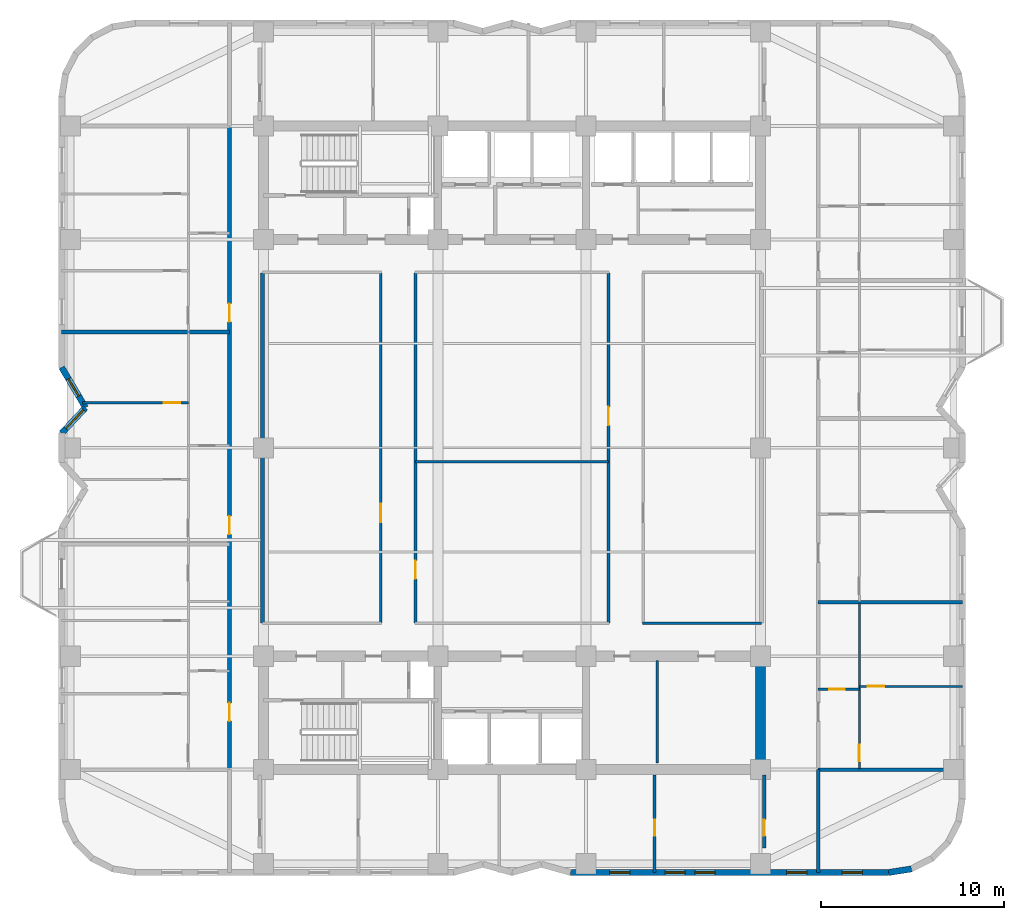
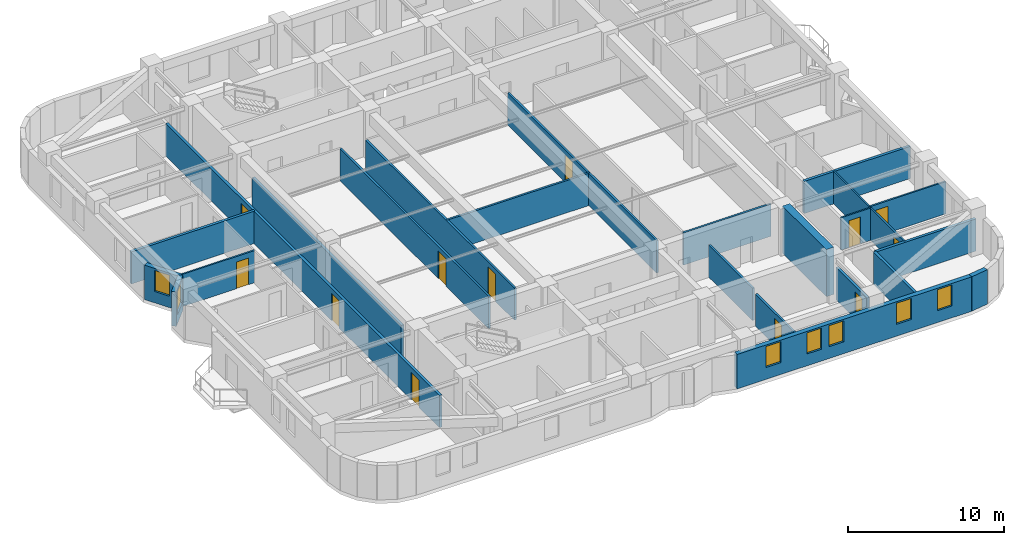
# One storey, part 4 of 10: 23 walls, 12 doors, 7 windows, 19 openings.
"""IFC4 building model written with IfcOpenShell, lengths in metres."""

from ifc_helpers import new_model, si_unit, direction, frame, frame_2d, origin, place, context, subcontext, project, spatial, rectangle, extrude, material, layer, layer_set, type_object, element, fill, save


model = new_model("IFC4")

# Units and contexts
model_context = context("Model", 3, precision=1e-05, world=origin(), true_north=direction((0.0, 1.0)))
body_context = subcontext(model_context, "Body", "Model", "MODEL_VIEW")
ifc_project = project(units=[si_unit("LENGTHUNIT", "METRE"), si_unit("AREAUNIT", "SQUARE_METRE"), si_unit("VOLUMEUNIT", "CUBIC_METRE"), si_unit("PLANEANGLEUNIT", "RADIAN"), si_unit("MASSUNIT", "GRAM", prefix="KILO")], contexts=[model_context])

# Site, building, storey
site_placement = place(None, origin())
site = spatial("IfcSite", under=ifc_project, at=site_placement, CompositionType="ELEMENT")
building_placement = place(site_placement, origin())
building = spatial("IfcBuilding", under=site, at=building_placement, Name="Svetorya Sky Lyceum", CompositionType="ELEMENT")
storey_placement = place(building_placement, frame((0.0, 0.0, 114.199951171875)))
storey = spatial("IfcBuildingStorey", under=building, at=storey_placement, Name="L28", CompositionType="ELEMENT", Elevation=114.199951171875)

# Wall
ifc_material_1 = material(Name="Concrete C60/75", Category="concrete")
ifc_layer_1 = layer(ifc_material_1, 0.550048828125)
ifc_layer_set_1 = layer_set([ifc_layer_1], Name="Concrete C60/75")
wall_type_1 = type_object("IfcWallType", Name="WL-CORE-550", PredefinedType="SHEAR", material=ifc_layer_set_1)
wall_1_placement = place(storey_placement, frame((52.800048828125, 10.875, 0.0), z_axis=(0.0, 0.0, 1.0), x_axis=(0.0, 1.0, 0.0)))
element("IfcWall", 1, at=wall_1_placement, inside=storey, type_object=wall_type_1, Name="L28 SC East Core Shear Wall", PredefinedType="SHEAR", context=body_context, shape_type="SweptSolid", body=[
    extrude(rectangle(XDim=5.64990234375, YDim=0.550048828125, at=frame_2d((2.824951171875, 0.0))), origin(), (0.0, 0.0, 1.0), 3.699951171875),
])

# Wall, openings, windows
ifc_material_2 = material(Name="Putilovo limestone rainscreen on autoclaved cellular masonry", Category="masonry")
ifc_layer_2 = layer(ifc_material_2, 0.340087890625)
ifc_layer_set_2 = layer_set([ifc_layer_2], Name="Putilovo limestone rainscreen on autoclaved cellular masonry")
wall_type_2 = type_object("IfcWallType", Name="WL-EXT-340", PredefinedType="SOLIDWALL", material=ifc_layer_set_2)
wall_2_placement = place(storey_placement, frame((42.39990234375, 4.969970703125, 0.0), z_axis=(0.0, 0.0, 1.0), x_axis=(1.0, 0.0, 0.0)))
wall_2 = element("IfcWall", 2, at=wall_2_placement, inside=storey, type_object=wall_type_2, Name="L28 Limestone Exterior Wall 11M", PredefinedType="SOLIDWALL", context=body_context, shape_type="SweptSolid", body=[
    extrude(rectangle(XDim=17.400146484375, YDim=0.340087890625, at=frame_2d((8.7001953125, 0.0))), origin(), (0.0, 0.0, 1.0), 2.699951171875),
])
opening_1_placement = place(wall_2_placement, frame((2.1416015625, 0.0, 0.929931640625)))
opening_1 = element("IfcOpeningElement", 3, at=opening_1_placement, cuts=wall_2, Name="Opening W-R3", PredefinedType="OPENING", context=body_context, shape_type="SweptSolid", body=[
    extrude(rectangle(XDim=1.10009765625, YDim=1.64990234375, at=frame_2d((0.550048828125, 0.824951171875))), frame((0.0, 0.179931640625, 0.0), z_axis=(0.0, -1.0, 0.0), x_axis=(1.0, 0.0, 0.0)), (0.0, 0.0, 1.0), 0.360107421875),
])
opening_2_placement = place(wall_2_placement, frame((5.175048828125, 0.0, 0.929931640625)))
opening_2 = element("IfcOpeningElement", 4, at=opening_2_placement, cuts=wall_2, Name="Opening W-R3", PredefinedType="OPENING", context=body_context, shape_type="SweptSolid", body=[
    extrude(rectangle(XDim=1.10009765625, YDim=1.64990234375, at=frame_2d((0.550048828125, 0.824951171875))), frame((0.0, 0.179931640625, 0.0), z_axis=(0.0, -1.0, 0.0), x_axis=(1.0, 0.0, 0.0)), (0.0, 0.0, 1.0), 0.360107421875),
])
opening_3_placement = place(wall_2_placement, frame((6.808349609375, 0.0, 0.929931640625)))
opening_3 = element("IfcOpeningElement", 5, at=opening_3_placement, cuts=wall_2, Name="Opening W-R3", PredefinedType="OPENING", context=body_context, shape_type="SweptSolid", body=[
    extrude(rectangle(XDim=1.10009765625, YDim=1.64990234375, at=frame_2d((0.550048828125, 0.824951171875))), frame((0.0, 0.179931640625, 0.0), z_axis=(0.0, -1.0, 0.0), x_axis=(1.0, 0.0, 0.0)), (0.0, 0.0, 1.0), 0.360107421875),
])
opening_4_placement = place(wall_2_placement, frame((11.824951171875, 0.0, 0.929931640625)))
opening_4 = element("IfcOpeningElement", 6, at=opening_4_placement, cuts=wall_2, Name="Opening W-R3", PredefinedType="OPENING", context=body_context, shape_type="SweptSolid", body=[
    extrude(rectangle(XDim=1.10009765625, YDim=1.64990234375, at=frame_2d((0.550048828125, 0.824951171875))), frame((0.0, 0.179931640625, 0.0), z_axis=(0.0, -1.0, 0.0), x_axis=(1.0, 0.0, 0.0)), (0.0, 0.0, 1.0), 0.360107421875),
])
opening_5_placement = place(wall_2_placement, frame((14.8583984375, 0.0, 0.929931640625)))
opening_5 = element("IfcOpeningElement", 7, at=opening_5_placement, cuts=wall_2, Name="Opening W-R3", PredefinedType="OPENING", context=body_context, shape_type="SweptSolid", body=[
    extrude(rectangle(XDim=1.10009765625, YDim=1.64990234375, at=frame_2d((0.550048828125, 0.824951171875))), frame((0.0, 0.179931640625, 0.0), z_axis=(0.0, -1.0, 0.0), x_axis=(1.0, 0.0, 0.0)), (0.0, 0.0, 1.0), 0.360107421875),
])
ifc_material_3 = material(Name="Thermally broken aluminium frame with triple low-E glazing", Category="aluminium")
window_type_1 = type_object("IfcWindowType", Name="WN-RES-110", PartitioningType="SINGLE_PANEL", PredefinedType="WINDOW", material=ifc_material_3)
window_1_placement = place(opening_1_placement, origin())
window_1 = element("IfcWindow", 8, at=window_1_placement, inside=storey, type_object=window_type_1, Name="L28 Facade Window W-R3.11M.1", OverallHeight=1.64990234375, OverallWidth=1.10009765625, PartitioningType="SINGLE_PANEL", PredefinedType="WINDOW", context=body_context, shape_type="SweptSolid", body=[
    extrude(rectangle(XDim=1.10009765625, YDim=1.64990234375, at=frame_2d((0.550048828125, 0.824951171875))), frame((0.0, 0.030029296875, 0.0), z_axis=(0.0, -1.0, 0.0), x_axis=(1.0, 0.0, 0.0)), (0.0, 0.0, 1.0), 0.06005859375),
])
fill(opening_1, window_1)
window_2_placement = place(opening_2_placement, origin())
window_2 = element("IfcWindow", 9, at=window_2_placement, inside=storey, type_object=window_type_1, Name="L28 Facade Window W-R3.11M.2", OverallHeight=1.64990234375, OverallWidth=1.10009765625, PartitioningType="SINGLE_PANEL", PredefinedType="WINDOW", context=body_context, shape_type="SweptSolid", body=[
    extrude(rectangle(XDim=1.10009765625, YDim=1.64990234375, at=frame_2d((0.550048828125, 0.824951171875))), frame((0.0, 0.030029296875, 0.0), z_axis=(0.0, -1.0, 0.0), x_axis=(1.0, 0.0, 0.0)), (0.0, 0.0, 1.0), 0.06005859375),
])
fill(opening_2, window_2)
window_3_placement = place(opening_3_placement, origin())
window_3 = element("IfcWindow", 10, at=window_3_placement, inside=storey, type_object=window_type_1, Name="L28 Facade Window W-R3.11M.3", OverallHeight=1.64990234375, OverallWidth=1.10009765625, PartitioningType="SINGLE_PANEL", PredefinedType="WINDOW", context=body_context, shape_type="SweptSolid", body=[
    extrude(rectangle(XDim=1.10009765625, YDim=1.64990234375, at=frame_2d((0.550048828125, 0.824951171875))), frame((0.0, 0.030029296875, 0.0), z_axis=(0.0, -1.0, 0.0), x_axis=(1.0, 0.0, 0.0)), (0.0, 0.0, 1.0), 0.06005859375),
])
fill(opening_3, window_3)
window_4_placement = place(opening_4_placement, origin())
window_4 = element("IfcWindow", 11, at=window_4_placement, inside=storey, type_object=window_type_1, Name="L28 Facade Window W-R3.11M.4", OverallHeight=1.64990234375, OverallWidth=1.10009765625, PartitioningType="SINGLE_PANEL", PredefinedType="WINDOW", context=body_context, shape_type="SweptSolid", body=[
    extrude(rectangle(XDim=1.10009765625, YDim=1.64990234375, at=frame_2d((0.550048828125, 0.824951171875))), frame((0.0, 0.030029296875, 0.0), z_axis=(0.0, -1.0, 0.0), x_axis=(1.0, 0.0, 0.0)), (0.0, 0.0, 1.0), 0.06005859375),
])
fill(opening_4, window_4)
window_5_placement = place(opening_5_placement, origin())
window_5 = element("IfcWindow", 12, at=window_5_placement, inside=storey, type_object=window_type_1, Name="L28 Facade Window W-R3.11M.5", OverallHeight=1.64990234375, OverallWidth=1.10009765625, PartitioningType="SINGLE_PANEL", PredefinedType="WINDOW", context=body_context, shape_type="SweptSolid", body=[
    extrude(rectangle(XDim=1.10009765625, YDim=1.64990234375, at=frame_2d((0.550048828125, 0.824951171875))), frame((0.0, 0.030029296875, 0.0), z_axis=(0.0, -1.0, 0.0), x_axis=(1.0, 0.0, 0.0)), (0.0, 0.0, 1.0), 0.06005859375),
])
fill(opening_5, window_5)

# Wall
wall_3_placement = place(storey_placement, frame((59.800048828125, 4.969970703125, 0.0), z_axis=(0.0, 0.0, 1.0), x_axis=(0.987685918112, 0.15644975923, 0.0)))
element("IfcWall", 13, at=wall_3_placement, inside=storey, type_object=wall_type_2, Name="L28 Limestone Exterior Wall 12M", PredefinedType="SOLIDWALL", context=body_context, shape_type="SweptSolid", body=[
    extrude(rectangle(XDim=1.260986328125, YDim=0.340087890625, at=frame_2d((0.63037109375, 0.0))), origin(), (0.0, 0.0, 1.0), 2.699951171875),
])

# Wall, opening, window
wall_4_placement = place(storey_placement, frame((14.570068359375, 32.60009765625, 0.0), z_axis=(0.0, 0.0, 1.0), x_axis=(0.508710000703, -0.860937939218, 0.0)))
wall_4 = element("IfcWall", 14, at=wall_4_placement, inside=storey, type_object=wall_type_2, Name="L28 Limestone Exterior Wall 41M", PredefinedType="SOLIDWALL", context=body_context, shape_type="SweptSolid", body=[
    extrude(rectangle(XDim=2.5556640625, YDim=0.340087890625, at=frame_2d((1.27783203125, 0.0))), origin(), (0.0, 0.0, 1.0), 2.699951171875),
])
opening_6_placement = place(wall_4_placement, frame((0.727783203125, 0.0, 0.889892578125)))
opening_6 = element("IfcOpeningElement", 15, at=opening_6_placement, cuts=wall_4, Name="Opening W-R3", PredefinedType="OPENING", context=body_context, shape_type="SweptSolid", body=[
    extrude(rectangle(XDim=1.10009765625, YDim=1.64990234375, at=frame_2d((0.550048828125, 0.824951171875))), frame((0.0, 0.179931640625, 0.0), z_axis=(0.0, -1.0, 0.0), x_axis=(1.0, 0.0, 0.0)), (0.0, 0.0, 1.0), 0.360107421875),
])
window_6_placement = place(opening_6_placement, origin())
window_6 = element("IfcWindow", 16, at=window_6_placement, inside=storey, type_object=window_type_1, Name="L28 Facade Window W-R3.41M.1", OverallHeight=1.64990234375, OverallWidth=1.10009765625, PartitioningType="SINGLE_PANEL", PredefinedType="WINDOW", context=body_context, shape_type="SweptSolid", body=[
    extrude(rectangle(XDim=1.10009765625, YDim=1.64990234375, at=frame_2d((0.550048828125, 0.824951171875))), frame((0.0, 0.030029296875, 0.0), z_axis=(0.0, -1.0, 0.0), x_axis=(1.0, 0.0, 0.0)), (0.0, 0.0, 1.0), 0.06005859375),
])
fill(opening_6, window_6)

wall_5_placement = place(storey_placement, frame((15.8701171875, 30.39990234375, 0.0), z_axis=(0.0, 0.0, 1.0), x_axis=(-0.68049031116, -0.732757078722, 0.0)))
wall_5 = element("IfcWall", 17, at=wall_5_placement, inside=storey, type_object=wall_type_2, Name="L28 Limestone Exterior Wall 42M", PredefinedType="SOLIDWALL", context=body_context, shape_type="SweptSolid", body=[
    extrude(rectangle(XDim=1.910400390625, YDim=0.340087890625, at=frame_2d((0.955078125, 0.0))), origin(), (0.0, 0.0, 1.0), 2.699951171875),
])
opening_7_placement = place(wall_5_placement, frame((0.159912109375, 0.0, 0.68994140625)))
opening_7 = element("IfcOpeningElement", 18, at=opening_7_placement, cuts=wall_5, Name="Opening W-R2", PredefinedType="OPENING", context=body_context, shape_type="SweptSolid", body=[
    extrude(rectangle(XDim=1.39990234375, YDim=1.85009765625, at=frame_2d((0.699951171875, 0.925048828125))), frame((0.0, 0.179931640625, 0.0), z_axis=(0.0, -1.0, 0.0), x_axis=(1.0, 0.0, 0.0)), (0.0, 0.0, 1.0), 0.360107421875),
])
window_type_2 = type_object("IfcWindowType", Name="WN-RES-140", PartitioningType="SINGLE_PANEL", PredefinedType="WINDOW", material=ifc_material_3)
window_7_placement = place(opening_7_placement, origin())
window_7 = element("IfcWindow", 19, at=window_7_placement, inside=storey, type_object=window_type_2, Name="L28 Facade Window W-R2.42M.1", OverallHeight=1.85009765625, OverallWidth=1.39990234375, PartitioningType="SINGLE_PANEL", PredefinedType="WINDOW", context=body_context, shape_type="SweptSolid", body=[
    extrude(rectangle(XDim=1.39990234375, YDim=1.85009765625, at=frame_2d((0.699951171875, 0.925048828125))), frame((0.0, 0.030029296875, 0.0), z_axis=(0.0, -1.0, 0.0), x_axis=(1.0, 0.0, 0.0)), (0.0, 0.0, 1.0), 0.06005859375),
])
fill(opening_7, window_7)

# Wall, opening, door
ifc_material_4 = material(Name="Twin-stud galvanized framing with double fireboard", Category="gypsum")
ifc_layer_3 = layer(ifc_material_4, 0.1201171875)
ifc_layer_set_3 = layer_set([ifc_layer_3], Name="Twin-stud galvanized framing with double fireboard")
wall_type_3 = type_object("IfcWallType", Name="WL-PART-120", PredefinedType="PARTITIONING", material=ifc_layer_set_3)
wall_6_placement = place(storey_placement, frame((15.71044921875, 30.669921875, 0.0), z_axis=(0.0, 0.0, 1.0), x_axis=(1.0, 0.0, 0.0)))
wall_6 = element("IfcWall", 20, at=wall_6_placement, inside=storey, type_object=wall_type_3, Name="L28 Interior Partition W2-WL2", PredefinedType="PARTITIONING", context=body_context, shape_type="SweptSolid", body=[
    extrude(rectangle(XDim=5.78955078125, YDim=0.1201171875, at=frame_2d((2.894775390625, 0.0))), origin(), (0.0, 0.0, 1.0), 2.530029296875),
])
opening_8_placement = place(wall_6_placement, frame((4.439453125, 0.0, 0.0)))
opening_8 = element("IfcOpeningElement", 21, at=opening_8_placement, cuts=wall_6, Name="Opening D-RM1", PredefinedType="OPENING", context=body_context, shape_type="SweptSolid", body=[
    extrude(rectangle(XDim=0.89990234375, YDim=2.10009765625, at=frame_2d((0.449951171875, 1.050048828125))), frame((0.0, 0.070068359375, 0.0), z_axis=(0.0, -1.0, 0.0), x_axis=(1.0, 0.0, 0.0)), (0.0, 0.0, 1.0), 0.14013671875),
])
ifc_material_5 = material(Name="Lacquered birch veneer internal door")
door_type_1 = type_object("IfcDoorType", Name="DR-INT-900", OperationType="SINGLE_SWING_LEFT", PredefinedType="DOOR", material=ifc_material_5)
door_1_placement = place(opening_8_placement, origin())
door_1 = element("IfcDoor", 22, at=door_1_placement, inside=storey, type_object=door_type_1, Name="Apartment W2 Bedroom 2 Door", OperationType="SINGLE_SWING_LEFT", OverallHeight=2.10009765625, OverallWidth=0.89990234375, PredefinedType="DOOR", context=body_context, shape_type="SweptSolid", body=[
    extrude(rectangle(XDim=0.89990234375, YDim=2.10009765625, at=frame_2d((0.449951171875, 1.050048828125))), frame((0.0, 0.02490234375, 0.0), z_axis=(0.0, -1.0, 0.0), x_axis=(1.0, 0.0, 0.0)), (0.0, 0.0, 1.0), 0.050048828125),
])
fill(opening_8, door_1)

wall_7_placement = place(storey_placement, frame((55.949951171875, 14.989990234375, 0.0), z_axis=(0.0, 0.0, 1.0), x_axis=(1.0, 0.0, 0.0)))
wall_7 = element("IfcWall", 23, at=wall_7_placement, inside=storey, type_object=wall_type_3, Name="L28 Interior Partition E1-WH1", PredefinedType="PARTITIONING", context=body_context, shape_type="SweptSolid", body=[
    extrude(rectangle(XDim=2.25, YDim=0.1201171875, at=frame_2d((1.125, 0.0))), origin(), (0.0, 0.0, 1.0), 2.530029296875),
])
opening_9_placement = place(wall_7_placement, frame((0.60009765625, 0.0, 0.0)))
opening_9 = element("IfcOpeningElement", 24, at=opening_9_placement, cuts=wall_7, Name="Opening D-BT1", PredefinedType="OPENING", context=body_context, shape_type="SweptSolid", body=[
    extrude(rectangle(XDim=0.85009765625, YDim=2.10009765625, at=frame_2d((0.425048828125, 1.050048828125))), frame((0.0, 0.070068359375, 0.0), z_axis=(0.0, -1.0, 0.0), x_axis=(1.0, 0.0, 0.0)), (0.0, 0.0, 1.0), 0.14013671875),
])
ifc_material_6 = material(Name="Moisture-resistant laminate bathroom door")
door_type_2 = type_object("IfcDoorType", Name="DR-WET-850", OperationType="SINGLE_SWING_LEFT", PredefinedType="DOOR", material=ifc_material_6)
door_2_placement = place(opening_9_placement, origin())
door_2 = element("IfcDoor", 25, at=door_2_placement, inside=storey, type_object=door_type_2, Name="Apartment E1 Bathroom Door", OperationType="SINGLE_SWING_RIGHT", OverallHeight=2.10009765625, OverallWidth=0.85009765625, PredefinedType="DOOR", context=body_context, shape_type="SweptSolid", body=[
    extrude(rectangle(XDim=0.85009765625, YDim=2.10009765625, at=frame_2d((0.425048828125, 1.050048828125))), frame((0.0, 0.02490234375, 0.0), z_axis=(0.0, -1.0, 0.0), x_axis=(1.0, 0.0, 0.0)), (0.0, 0.0, 1.0), 0.050048828125),
])
fill(opening_9, door_2)

wall_8_placement = place(storey_placement, frame((58.199951171875, 15.14990234375, 0.0), z_axis=(0.0, 0.0, 1.0), x_axis=(1.0, 0.0, 0.0)))
wall_8 = element("IfcWall", 26, at=wall_8_placement, inside=storey, type_object=wall_type_3, Name="L28 Interior Partition E1-WL1", PredefinedType="PARTITIONING", context=body_context, shape_type="SweptSolid", body=[
    extrude(rectangle(XDim=5.630126953125, YDim=0.1201171875, at=frame_2d((2.81494140625, 0.0))), origin(), (0.0, 0.0, 1.0), 2.530029296875),
])
opening_10_placement = place(wall_8_placement, frame((0.449951171875, 0.0, 0.0)))
opening_10 = element("IfcOpeningElement", 27, at=opening_10_placement, cuts=wall_8, Name="Opening D-RM1", PredefinedType="OPENING", context=body_context, shape_type="SweptSolid", body=[
    extrude(rectangle(XDim=0.89990234375, YDim=2.10009765625, at=frame_2d((0.449951171875, 1.050048828125))), frame((0.0, 0.070068359375, 0.0), z_axis=(0.0, -1.0, 0.0), x_axis=(1.0, 0.0, 0.0)), (0.0, 0.0, 1.0), 0.14013671875),
])
door_3_placement = place(opening_10_placement, origin())
door_3 = element("IfcDoor", 28, at=door_3_placement, inside=storey, type_object=door_type_1, Name="Apartment E1 Bedroom 1 Door", OperationType="SINGLE_SWING_RIGHT", OverallHeight=2.10009765625, OverallWidth=0.89990234375, PredefinedType="DOOR", context=body_context, shape_type="SweptSolid", body=[
    extrude(rectangle(XDim=0.89990234375, YDim=2.10009765625, at=frame_2d((0.449951171875, 1.050048828125))), frame((0.0, 0.02490234375, 0.0), z_axis=(0.0, -1.0, 0.0), x_axis=(1.0, 0.0, 0.0)), (0.0, 0.0, 1.0), 0.050048828125),
])
fill(opening_10, door_3)

wall_9_placement = place(storey_placement, frame((58.199951171875, 10.639892578125, 0.0), z_axis=(0.0, 0.0, 1.0), x_axis=(0.0, 1.0, 0.0)))
wall_9 = element("IfcWall", 29, at=wall_9_placement, inside=storey, type_object=wall_type_3, Name="L28 Interior Partition E1-WV", PredefinedType="PARTITIONING", context=body_context, shape_type="SweptSolid", body=[
    extrude(rectangle(XDim=9.072021484375, YDim=0.1201171875, at=frame_2d((4.5361328125, 0.0))), origin(), (0.0, 0.0, 1.0), 2.530029296875),
])
opening_11_placement = place(wall_9_placement, frame((0.409912109375, 0.0, 0.0)))
opening_11 = element("IfcOpeningElement", 30, at=opening_11_placement, cuts=wall_9, Name="Opening D-RM1", PredefinedType="OPENING", context=body_context, shape_type="SweptSolid", body=[
    extrude(rectangle(XDim=0.89990234375, YDim=2.10009765625, at=frame_2d((0.449951171875, 1.050048828125))), frame((0.0, 0.070068359375, 0.0), z_axis=(0.0, -1.0, 0.0), x_axis=(1.0, 0.0, 0.0)), (0.0, 0.0, 1.0), 0.14013671875),
])
door_4_placement = place(opening_11_placement, origin())
door_4 = element("IfcDoor", 31, at=door_4_placement, inside=storey, type_object=door_type_1, Name="Apartment E1 Living Door", OperationType="SINGLE_SWING_LEFT", OverallHeight=2.10009765625, OverallWidth=0.89990234375, PredefinedType="DOOR", context=body_context, shape_type="SweptSolid", body=[
    extrude(rectangle(XDim=0.89990234375, YDim=2.10009765625, at=frame_2d((0.449951171875, 1.050048828125))), frame((0.0, 0.02490234375, 0.0), z_axis=(0.0, -1.0, 0.0), x_axis=(1.0, 0.0, 0.0)), (0.0, 0.0, 1.0), 0.050048828125),
])
fill(opening_11, door_4)

# Walls
ifc_material_7 = material(Name="Autoclaved cellular masonry blockwork with acoustic render", Category="masonry")
ifc_layer_4 = layer(ifc_material_7, 0.14990234375)
ifc_layer_set_4 = layer_set([ifc_layer_4], Name="Autoclaved cellular masonry blockwork with acoustic render")
wall_type_4 = type_object("IfcWallType", Name="WL-PART-150", PredefinedType="PARTITIONING", material=ifc_layer_set_4)
wall_10_placement = place(storey_placement, frame((47.14990234375, 10.949951171875, 0.0), z_axis=(0.0, 0.0, 1.0), x_axis=(0.0, 1.0, 0.0)))
element("IfcWall", 32, at=wall_10_placement, inside=storey, type_object=wall_type_4, Name="L28 Interior Partition SC-LV7-VA", PredefinedType="PARTITIONING", context=body_context, shape_type="SweptSolid", body=[
    extrude(rectangle(XDim=5.630126953125, YDim=0.14990234375, at=frame_2d((2.81494140625, 0.0))), origin(), (0.0, 0.0, 1.0), 2.530029296875),
])
wall_11_placement = place(storey_placement, frame((46.35009765625, 18.60009765625, 0.0), z_axis=(0.0, 0.0, 1.0), x_axis=(1.0, 0.0, 0.0)))
element("IfcWall", 33, at=wall_11_placement, inside=storey, type_object=wall_type_4, Name="L28 Interior Partition RL-CS-E", PredefinedType="PARTITIONING", context=body_context, shape_type="SweptSolid", body=[
    extrude(rectangle(XDim=6.5, YDim=0.14990234375, at=frame_2d((3.25, 0.0))), origin(), (0.0, 0.0, 1.0), 2.530029296875),
])
wall_12_placement = place(storey_placement, frame((33.919921875, 27.434326171875, 0.0), z_axis=(0.0, 0.0, 1.0), x_axis=(1.0, 0.0, 0.0)))
element("IfcWall", 34, at=wall_12_placement, inside=storey, type_object=wall_type_4, Name="L28 Interior Partition ISL-HM0", PredefinedType="PARTITIONING", context=body_context, shape_type="SweptSolid", body=[
    extrude(rectangle(XDim=10.56005859375, YDim=0.14990234375, at=frame_2d((5.280029296875, 0.0))), origin(), (0.0, 0.0, 1.0), 2.530029296875),
])

# Wall, opening, door
wall_13_placement = place(storey_placement, frame((32.02001953125, 18.6298828125, 0.0), z_axis=(0.0, 0.0, 1.0), x_axis=(0.0, 1.0, 0.0)))
wall_13 = element("IfcWall", 35, at=wall_13_placement, inside=storey, type_object=wall_type_4, Name="L28 Interior Partition ISL-WW", PredefinedType="PARTITIONING", context=body_context, shape_type="SweptSolid", body=[
    extrude(rectangle(XDim=19.14013671875, YDim=0.14990234375, at=frame_2d((9.570068359375, 0.0))), origin(), (0.0, 0.0, 1.0), 2.530029296875),
])
opening_12_placement = place(wall_13_placement, frame((5.5, 0.0, 0.0)))
opening_12 = element("IfcOpeningElement", 36, at=opening_12_placement, cuts=wall_13, Name="Opening D-RM2", PredefinedType="OPENING", context=body_context, shape_type="SweptSolid", body=[
    extrude(rectangle(XDim=1.0, YDim=2.14990234375, at=frame_2d((0.5, 1.074951171875))), frame((0.0, 0.0849609375, 0.0), z_axis=(0.0, -1.0, 0.0), x_axis=(1.0, 0.0, 0.0)), (0.0, 0.0, 1.0), 0.169921875),
])
ifc_material_8 = material(Name="Solid-core oak acoustic room door")
door_type_3 = type_object("IfcDoorType", Name="DR-INT-1000", OperationType="SINGLE_SWING_LEFT", PredefinedType="DOOR", material=ifc_material_8)
door_5_placement = place(opening_12_placement, origin())
door_5 = element("IfcDoor", 37, at=door_5_placement, inside=storey, type_object=door_type_3, Name="L28 West Office Door", OperationType="SINGLE_SWING_LEFT", OverallHeight=2.14990234375, OverallWidth=1.0, PredefinedType="DOOR", context=body_context, shape_type="SweptSolid", body=[
    extrude(rectangle(XDim=1.0, YDim=2.14990234375, at=frame_2d((0.5, 1.074951171875))), frame((0.0, 0.02490234375, 0.0), z_axis=(0.0, -1.0, 0.0), x_axis=(1.0, 0.0, 0.0)), (0.0, 0.0, 1.0), 0.050048828125),
])
fill(opening_12, door_5)

wall_14_placement = place(storey_placement, frame((33.919921875, 18.6298828125, 0.0), z_axis=(0.0, 0.0, 1.0), x_axis=(0.0, 1.0, 0.0)))
wall_14 = element("IfcWall", 38, at=wall_14_placement, inside=storey, type_object=wall_type_4, Name="L28 Interior Partition ISL-WE", PredefinedType="PARTITIONING", context=body_context, shape_type="SweptSolid", body=[
    extrude(rectangle(XDim=19.14013671875, YDim=0.14990234375, at=frame_2d((9.570068359375, 0.0))), origin(), (0.0, 0.0, 1.0), 2.530029296875),
])
opening_13_placement = place(wall_14_placement, frame((2.39990234375, 0.0, 0.0)))
opening_13 = element("IfcOpeningElement", 39, at=opening_13_placement, cuts=wall_14, Name="Opening D-RM2", PredefinedType="OPENING", context=body_context, shape_type="SweptSolid", body=[
    extrude(rectangle(XDim=1.0, YDim=2.14990234375, at=frame_2d((0.5, 1.074951171875))), frame((0.0, 0.0849609375, 0.0), z_axis=(0.0, -1.0, 0.0), x_axis=(1.0, 0.0, 0.0)), (0.0, 0.0, 1.0), 0.169921875),
])
door_6_placement = place(opening_13_placement, origin())
door_6 = element("IfcDoor", 40, at=door_6_placement, inside=storey, type_object=door_type_3, Name="L28 Seminar Door", OperationType="SINGLE_SWING_RIGHT", OverallHeight=2.14990234375, OverallWidth=1.0, PredefinedType="DOOR", context=body_context, shape_type="SweptSolid", body=[
    extrude(rectangle(XDim=1.0, YDim=2.14990234375, at=frame_2d((0.5, 1.074951171875))), frame((0.0, 0.02490234375, 0.0), z_axis=(0.0, -1.0, 0.0), x_axis=(1.0, 0.0, 0.0)), (0.0, 0.0, 1.0), 0.050048828125),
])
fill(opening_13, door_6)

wall_15_placement = place(storey_placement, frame((44.47998046875, 18.6298828125, 0.0), z_axis=(0.0, 0.0, 1.0), x_axis=(0.0, 1.0, 0.0)))
wall_15 = element("IfcWall", 41, at=wall_15_placement, inside=storey, type_object=wall_type_4, Name="L28 Interior Partition ISL-EW", PredefinedType="PARTITIONING", context=body_context, shape_type="SweptSolid", body=[
    extrude(rectangle(XDim=19.14013671875, YDim=0.14990234375, at=frame_2d((9.570068359375, 0.0))), origin(), (0.0, 0.0, 1.0), 2.530029296875),
])
opening_14_placement = place(wall_15_placement, frame((10.804443359375, 0.0, 0.0)))
opening_14 = element("IfcOpeningElement", 42, at=opening_14_placement, cuts=wall_15, Name="Opening D-RM2", PredefinedType="OPENING", context=body_context, shape_type="SweptSolid", body=[
    extrude(rectangle(XDim=1.0, YDim=2.14990234375, at=frame_2d((0.5, 1.074951171875))), frame((0.0, 0.0849609375, 0.0), z_axis=(0.0, -1.0, 0.0), x_axis=(1.0, 0.0, 0.0)), (0.0, 0.0, 1.0), 0.169921875),
])
door_7_placement = place(opening_14_placement, origin())
door_7 = element("IfcDoor", 43, at=door_7_placement, inside=storey, type_object=door_type_3, Name="L28 Recreation Door", OperationType="SINGLE_SWING_LEFT", OverallHeight=2.14990234375, OverallWidth=1.0, PredefinedType="DOOR", context=body_context, shape_type="SweptSolid", body=[
    extrude(rectangle(XDim=1.0, YDim=2.14990234375, at=frame_2d((0.5, 1.074951171875))), frame((0.0, 0.02490234375, 0.0), z_axis=(0.0, -1.0, 0.0), x_axis=(1.0, 0.0, 0.0)), (0.0, 0.0, 1.0), 0.050048828125),
])
fill(opening_14, door_7)

wall_16_placement = place(storey_placement, frame((47.0, 4.969970703125, 0.0), z_axis=(0.0, 0.0, 1.0), x_axis=(0.0, 1.0, 0.0)))
wall_16 = element("IfcWall", 44, at=wall_16_placement, inside=storey, type_object=wall_type_4, Name="L28 Interior Partition S4-D3", PredefinedType="PARTITIONING", context=body_context, shape_type="SweptSolid", body=[
    extrude(rectangle(XDim=5.330078125, YDim=0.14990234375, at=frame_2d((2.6650390625, 0.0))), origin(), (0.0, 0.0, 1.0), 2.530029296875),
])
opening_15_placement = place(wall_16_placement, frame((2.0, 0.0, 0.0)))
opening_15 = element("IfcOpeningElement", 45, at=opening_15_placement, cuts=wall_16, Name="Opening D-RM1", PredefinedType="OPENING", context=body_context, shape_type="SweptSolid", body=[
    extrude(rectangle(XDim=0.89990234375, YDim=2.10009765625, at=frame_2d((0.449951171875, 1.050048828125))), frame((0.0, 0.0849609375, 0.0), z_axis=(0.0, -1.0, 0.0), x_axis=(1.0, 0.0, 0.0)), (0.0, 0.0, 1.0), 0.169921875),
])
door_8_placement = place(opening_15_placement, origin())
door_8 = element("IfcDoor", 46, at=door_8_placement, inside=storey, type_object=door_type_1, Name="L28 South Suite Door 3", OperationType="SINGLE_SWING_LEFT", OverallHeight=2.10009765625, OverallWidth=0.89990234375, PredefinedType="DOOR", context=body_context, shape_type="SweptSolid", body=[
    extrude(rectangle(XDim=0.89990234375, YDim=2.10009765625, at=frame_2d((0.449951171875, 1.050048828125))), frame((0.0, 0.02490234375, 0.0), z_axis=(0.0, -1.0, 0.0), x_axis=(1.0, 0.0, 0.0)), (0.0, 0.0, 1.0), 0.050048828125),
])
fill(opening_15, door_8)

# Walls
ifc_material_9 = material(Name="Autoclaved cellular masonry blockwork with gypsum plaster", Category="masonry")
ifc_layer_5 = layer(ifc_material_9, 0.199951171875)
ifc_layer_set_5 = layer_set([ifc_layer_5], Name="Autoclaved cellular masonry blockwork with gypsum plaster")
wall_type_5 = type_object("IfcWallType", Name="WL-PART-200", PredefinedType="PARTITIONING", material=ifc_layer_set_5)
wall_17_placement = place(storey_placement, frame((25.550048828125, 18.6298828125, 0.0), z_axis=(0.0, 0.0, 1.0), x_axis=(0.0, 1.0, 0.0)))
element("IfcWall", 47, at=wall_17_placement, inside=storey, type_object=wall_type_5, Name="L28 Interior Partition W-CEN-SEP", PredefinedType="PARTITIONING", context=body_context, shape_type="SweptSolid", body=[
    extrude(rectangle(XDim=19.14013671875, YDim=0.199951171875, at=frame_2d((9.570068359375, 0.0))), origin(), (0.0, 0.0, 1.0), 2.530029296875),
])
wall_18_placement = place(storey_placement, frame((14.570068359375, 34.535888671875, 0.0), z_axis=(0.0, 0.0, 1.0), x_axis=(1.0, 0.0, 0.0)))
element("IfcWall", 48, at=wall_18_placement, inside=storey, type_object=wall_type_5, Name="L28 Interior Partition W-PARTY-2", PredefinedType="PARTITIONING", context=body_context, shape_type="SweptSolid", body=[
    extrude(rectangle(XDim=9.179931640625, YDim=0.199951171875, at=frame_2d((4.58984375, 0.0))), origin(), (0.0, 0.0, 1.0), 2.530029296875),
])

# Wall, openings, doors
wall_19_placement = place(storey_placement, frame((23.75, 10.60009765625, 0.0), z_axis=(0.0, 0.0, 1.0), x_axis=(0.0, 1.0, 0.0)))
wall_19 = element("IfcWall", 49, at=wall_19_placement, inside=storey, type_object=wall_type_5, Name="L28 Interior Partition W-CORRW", PredefinedType="PARTITIONING", context=body_context, shape_type="SweptSolid", body=[
    extrude(rectangle(XDim=35.199951171875, YDim=0.199951171875, at=frame_2d((17.60009765625, 0.0))), origin(), (0.0, 0.0, 1.0), 2.530029296875),
])
opening_16_placement = place(wall_19_placement, frame((2.64990234375, 0.0, 0.0)))
opening_16 = element("IfcOpeningElement", 50, at=opening_16_placement, cuts=wall_19, Name="Opening D-APT1", PredefinedType="OPENING", context=body_context, shape_type="SweptSolid", body=[
    extrude(rectangle(XDim=1.0, YDim=2.14990234375, at=frame_2d((0.5, 1.074951171875))), frame((0.0, 0.10986328125, 0.0), z_axis=(0.0, -1.0, 0.0), x_axis=(1.0, 0.0, 0.0)), (0.0, 0.0, 1.0), 0.219970703125),
])
opening_17_placement = place(wall_19_placement, frame((12.8701171875, 0.0, 0.0)))
opening_17 = element("IfcOpeningElement", 51, at=opening_17_placement, cuts=wall_19, Name="Opening D-APT1", PredefinedType="OPENING", context=body_context, shape_type="SweptSolid", body=[
    extrude(rectangle(XDim=1.0, YDim=2.14990234375, at=frame_2d((0.5, 1.074951171875))), frame((0.0, 0.10986328125, 0.0), z_axis=(0.0, -1.0, 0.0), x_axis=(1.0, 0.0, 0.0)), (0.0, 0.0, 1.0), 0.219970703125),
])
opening_18_placement = place(wall_19_placement, frame((24.486083984375, 0.0, 0.0)))
opening_18 = element("IfcOpeningElement", 52, at=opening_18_placement, cuts=wall_19, Name="Opening D-APT1", PredefinedType="OPENING", context=body_context, shape_type="SweptSolid", body=[
    extrude(rectangle(XDim=1.0, YDim=2.14990234375, at=frame_2d((0.5, 1.074951171875))), frame((0.0, 0.10986328125, 0.0), z_axis=(0.0, -1.0, 0.0), x_axis=(1.0, 0.0, 0.0)), (0.0, 0.0, 1.0), 0.219970703125),
])
ifc_material_10 = material(Name="Insulated oak-veneered apartment entrance door")
door_type_4 = type_object("IfcDoorType", Name="DR-APT-1000", OperationType="SINGLE_SWING_LEFT", PredefinedType="DOOR", material=ifc_material_10)
door_9_placement = place(opening_16_placement, origin())
door_9 = element("IfcDoor", 53, at=door_9_placement, inside=storey, type_object=door_type_4, Name="L28 Apartment W1 Entrance Door", OperationType="SINGLE_SWING_LEFT", OverallHeight=2.14990234375, OverallWidth=1.0, PredefinedType="DOOR", context=body_context, shape_type="SweptSolid", body=[
    extrude(rectangle(XDim=1.0, YDim=2.14990234375, at=frame_2d((0.5, 1.074951171875))), frame((0.0, 0.02490234375, 0.0), z_axis=(0.0, -1.0, 0.0), x_axis=(1.0, 0.0, 0.0)), (0.0, 0.0, 1.0), 0.050048828125),
])
fill(opening_16, door_9)
door_10_placement = place(opening_17_placement, origin())
door_10 = element("IfcDoor", 54, at=door_10_placement, inside=storey, type_object=door_type_4, Name="L28 Apartment W2 Entrance Door", OperationType="SINGLE_SWING_RIGHT", OverallHeight=2.14990234375, OverallWidth=1.0, PredefinedType="DOOR", context=body_context, shape_type="SweptSolid", body=[
    extrude(rectangle(XDim=1.0, YDim=2.14990234375, at=frame_2d((0.5, 1.074951171875))), frame((0.0, 0.02490234375, 0.0), z_axis=(0.0, -1.0, 0.0), x_axis=(1.0, 0.0, 0.0)), (0.0, 0.0, 1.0), 0.050048828125),
])
fill(opening_17, door_10)
door_11_placement = place(opening_18_placement, origin())
door_11 = element("IfcDoor", 55, at=door_11_placement, inside=storey, type_object=door_type_4, Name="L28 Apartment W3 Entrance Door", OperationType="SINGLE_SWING_LEFT", OverallHeight=2.14990234375, OverallWidth=1.0, PredefinedType="DOOR", context=body_context, shape_type="SweptSolid", body=[
    extrude(rectangle(XDim=1.0, YDim=2.14990234375, at=frame_2d((0.5, 1.074951171875))), frame((0.0, 0.02490234375, 0.0), z_axis=(0.0, -1.0, 0.0), x_axis=(1.0, 0.0, 0.0)), (0.0, 0.0, 1.0), 0.050048828125),
])
fill(opening_18, door_11)

# Walls
wall_20_placement = place(storey_placement, frame((55.949951171875, 19.751953125, 0.0), z_axis=(0.0, 0.0, 1.0), x_axis=(1.0, 0.0, 0.0)))
element("IfcWall", 56, at=wall_20_placement, inside=storey, type_object=wall_type_5, Name="L28 Interior Partition E-PARTY-1", PredefinedType="PARTITIONING", context=body_context, shape_type="SweptSolid", body=[
    extrude(rectangle(XDim=7.880126953125, YDim=0.199951171875, at=frame_2d((3.93994140625, 0.0))), origin(), (0.0, 0.0, 1.0), 2.530029296875),
])
wall_21_placement = place(storey_placement, frame((55.949951171875, 10.60009765625, 0.0), z_axis=(0.0, 0.0, 1.0), x_axis=(1.0, 0.0, 0.0)))
element("IfcWall", 57, at=wall_21_placement, inside=storey, type_object=wall_type_5, Name="L28 Interior Partition E-CAP-S", PredefinedType="PARTITIONING", context=body_context, shape_type="SweptSolid", body=[
    extrude(rectangle(XDim=7.4599609375, YDim=0.199951171875, at=frame_2d((3.72998046875, 0.0))), origin(), (0.0, 0.0, 1.0), 2.530029296875),
])
wall_22_placement = place(storey_placement, frame((55.949951171875, 4.969970703125, 0.0), z_axis=(0.0, 0.0, 1.0), x_axis=(0.0, 1.0, 0.0)))
element("IfcWall", 58, at=wall_22_placement, inside=storey, type_object=wall_type_5, Name="L28 Interior Partition EC-SE-END", PredefinedType="PARTITIONING", context=body_context, shape_type="SweptSolid", body=[
    extrude(rectangle(XDim=5.630126953125, YDim=0.199951171875, at=frame_2d((2.81494140625, 0.0))), origin(), (0.0, 0.0, 1.0), 2.530029296875),
])

# Wall, opening, door
wall_23_placement = place(storey_placement, frame((53.0, 6.320068359375, 0.0), z_axis=(0.0, 0.0, 1.0), x_axis=(0.0, 1.0, 0.0)))
wall_23 = element("IfcWall", 59, at=wall_23_placement, inside=storey, type_object=wall_type_5, Name="L28 Interior Partition S4-EE", PredefinedType="PARTITIONING", context=body_context, shape_type="SweptSolid", body=[
    extrude(rectangle(XDim=3.97998046875, YDim=0.199951171875, at=frame_2d((1.989990234375, 0.0))), origin(), (0.0, 0.0, 1.0), 2.530029296875),
])
opening_19_placement = place(wall_23_placement, frame((0.64990234375, 0.0, 0.0)))
opening_19 = element("IfcOpeningElement", 60, at=opening_19_placement, cuts=wall_23, Name="Opening D-RM1", PredefinedType="OPENING", context=body_context, shape_type="SweptSolid", body=[
    extrude(rectangle(XDim=0.89990234375, YDim=2.10009765625, at=frame_2d((0.449951171875, 1.050048828125))), frame((0.0, 0.10986328125, 0.0), z_axis=(0.0, -1.0, 0.0), x_axis=(1.0, 0.0, 0.0)), (0.0, 0.0, 1.0), 0.219970703125),
])
door_12_placement = place(opening_19_placement, origin())
door_12 = element("IfcDoor", 61, at=door_12_placement, inside=storey, type_object=door_type_1, Name="L28 SE Meeting Door", OperationType="SINGLE_SWING_RIGHT", OverallHeight=2.10009765625, OverallWidth=0.89990234375, PredefinedType="DOOR", context=body_context, shape_type="SweptSolid", body=[
    extrude(rectangle(XDim=0.89990234375, YDim=2.10009765625, at=frame_2d((0.449951171875, 1.050048828125))), frame((0.0, 0.02490234375, 0.0), z_axis=(0.0, -1.0, 0.0), x_axis=(1.0, 0.0, 0.0)), (0.0, 0.0, 1.0), 0.050048828125),
])
fill(opening_19, door_12)

save(model, "model.ifc")
